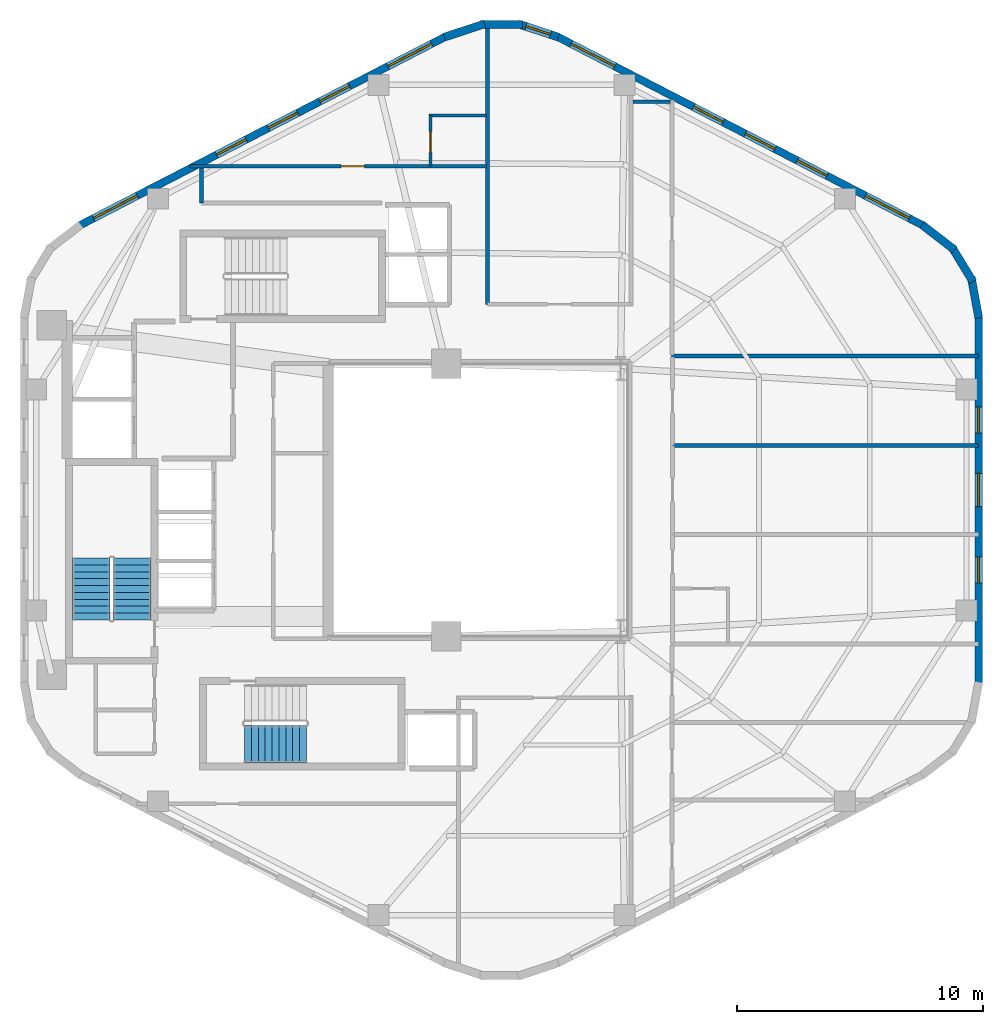
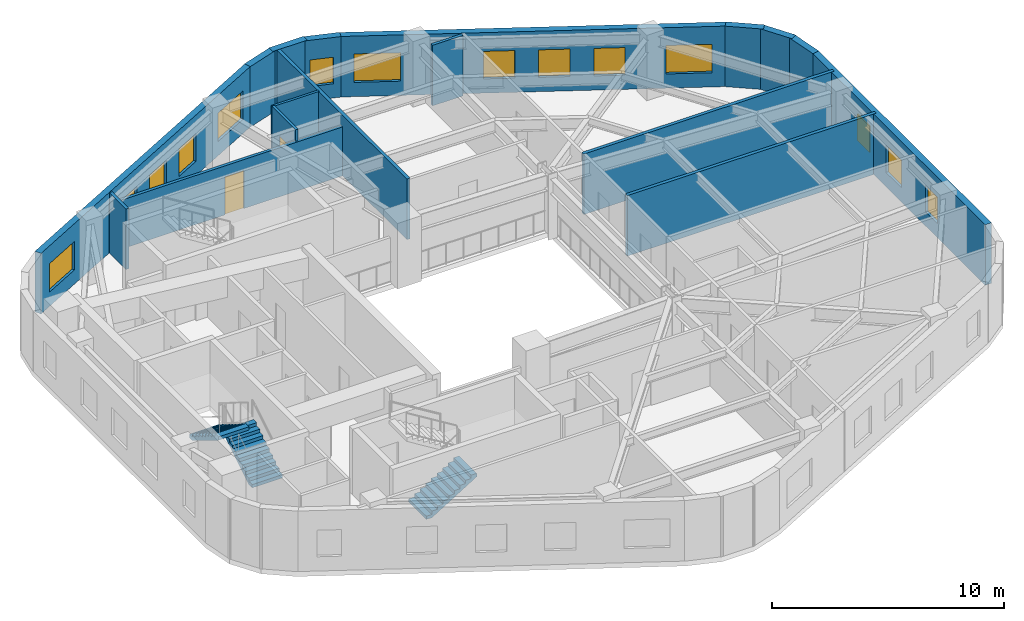
# One storey, part 5 of 7: 17 walls, 14 windows, 3 stair flights, 2 doors, 16 openings, 2 elements without a shape of their own.
"""IFC4 building model written with IfcOpenShell, lengths in metres."""

from ifc_helpers import new_model, si_unit, direction, frame, frame_2d, origin, place, context, subcontext, project, spatial, polyline, rectangle, outline, extrude, material, layer, layer_set, type_object, element, fill, aggregate, save


model = new_model("IFC4")

# Units and contexts
model_context = context("Model", 3, precision=1e-05, world=origin(), true_north=direction((0.0, 1.0)))
body_context = subcontext(model_context, "Body", "Model", "MODEL_VIEW")
ifc_project = project(units=[si_unit("LENGTHUNIT", "METRE"), si_unit("AREAUNIT", "SQUARE_METRE"), si_unit("VOLUMEUNIT", "CUBIC_METRE"), si_unit("PLANEANGLEUNIT", "RADIAN"), si_unit("MASSUNIT", "GRAM", prefix="KILO"), si_unit("THERMODYNAMICTEMPERATUREUNIT", "KELVIN"), si_unit("POWERUNIT", "WATT")], contexts=[model_context])

# Site, building, storey
site_placement = place(None, origin())
site = spatial("IfcSite", under=ifc_project, at=site_placement, CompositionType="ELEMENT")
building_placement = place(site_placement, origin())
building = spatial("IfcBuilding", under=site, at=building_placement, Name="Skarre Station Tower", CompositionType="ELEMENT")
storey_placement = place(building_placement, frame((0.0, 0.0, 196.449951171875)))
storey = spatial("IfcBuildingStorey", under=building, at=storey_placement, Name="L53", CompositionType="ELEMENT", Elevation=196.449951171875)

# Wall, opening, door
ifc_material_1 = material(Name="Acoustic Steel-Stud Gypsum Partition", Category="steel")
ifc_layer_1 = layer(ifc_material_1, 0.14990234375, Name="Acoustic Steel-Stud Gypsum Partition")
ifc_layer_set_1 = layer_set([ifc_layer_1], Name="Acoustic Steel-Stud Gypsum Partition")
wall_type_1 = type_object("IfcWallType", Name="Fire-Rated Corridor Acoustic Partition 150", PredefinedType="PARTITIONING", material=ifc_layer_set_1)
wall_1_placement = place(storey_placement, frame((34.0, 37.580078125, 0.0), z_axis=(0.0, 0.0, 1.0), x_axis=(-1.0, 0.0, 0.0)))
wall_1 = element("IfcWall", 1, at=wall_1_placement, inside=storey, type_object=wall_type_1, Name="L53 Interior Partition WL-PT-L53-NWW1-CW", PredefinedType="PARTITIONING", context=body_context, shape_type="SweptSolid", body=[
    extrude(rectangle(XDim=12.074951171875, YDim=0.14990234375, at=frame_2d((6.03759765625, 0.0))), origin(), (0.0, 0.0, 1.0), 2.58203125),
])
opening_1_placement = place(wall_1_placement, frame((4.9599609375, 0.0, 0.0)))
opening_1 = element("IfcOpeningElement", 2, at=opening_1_placement, cuts=wall_1, Name="Opening DR-FD60", PredefinedType="OPENING", context=body_context, shape_type="SweptSolid", body=[
    extrude(rectangle(XDim=0.9599609375, YDim=2.0, at=frame_2d((0.47998046875, 1.0))), frame((0.0, 0.0849609375, 0.0), z_axis=(0.0, -1.0, 0.0), x_axis=(1.0, 0.0, 0.0)), (0.0, 0.0, 1.0), 0.169921875),
])
ifc_material_2 = material(Name="Nordic White-Oak Veneer Solid-Core Fire Leaf", Category="wood")
door_type_1 = type_object("IfcDoorType", Name="Corridor Suite Entry Fire Door FD60 960x2150", OperationType="SINGLE_SWING_LEFT", PredefinedType="DOOR", material=ifc_material_2)
door_1_placement = place(opening_1_placement, origin())
door_1 = element("IfcDoor", 3, at=door_1_placement, inside=storey, type_object=door_type_1, Name="L53 NWW1 Entry Door", OperationType="SINGLE_SWING_LEFT", OverallHeight=2.0, OverallWidth=0.9599609375, PredefinedType="DOOR", context=body_context, shape_type="SweptSolid", body=[
    extrude(rectangle(XDim=0.9599609375, YDim=2.0, at=frame_2d((0.47998046875, 1.0))), frame((0.0, 0.02490234375, 0.0), z_axis=(0.0, -1.0, 0.0), x_axis=(1.0, 0.0, 0.0)), (0.0, 0.0, 1.0), 0.050048828125),
])
fill(opening_1, door_1)

# Walls
wall_2_placement = place(storey_placement, frame((22.39990234375, 36.080078125, 0.0), z_axis=(0.0, 0.0, 1.0), x_axis=(0.0, 1.0, 0.0)))
element("IfcWall", 4, at=wall_2_placement, inside=storey, type_object=wall_type_1, Name="L53 Interior Partition WL-PT-L53-CSEAL-2", PredefinedType="PARTITIONING", context=body_context, shape_type="SweptSolid", body=[
    extrude(rectangle(XDim=1.429931640625, YDim=0.14990234375, at=frame_2d((0.71484375, 0.0))), origin(), (0.0, 0.0, 1.0), 3.18994140625),
])
wall_3_placement = place(storey_placement, frame((39.9580078125, 40.199951171875, 0.0), z_axis=(0.0, 0.0, 1.0), x_axis=(1.0, 0.0, 0.0)))
element("IfcWall", 5, at=wall_3_placement, inside=storey, type_object=wall_type_1, Name="L53 Interior Partition WL-PT-L53-CSEAL-3", PredefinedType="PARTITIONING", context=body_context, shape_type="SweptSolid", body=[
    extrude(rectangle(XDim=1.511962890625, YDim=0.14990234375, at=frame_2d((0.755859375, 0.0))), origin(), (0.0, 0.0, 1.0), 3.18994140625),
])
ifc_material_3 = material(Name="Insulated Timber-Stud Gypsum Partition", Category="wood")
ifc_layer_2 = layer(ifc_material_3, 0.1201171875, Name="Insulated Timber-Stud Gypsum Partition")
ifc_layer_set_2 = layer_set([ifc_layer_2], Name="Insulated Timber-Stud Gypsum Partition")
wall_type_2 = type_object("IfcWallType", Name="Internal Suite Acoustic Partition 120", PredefinedType="PARTITIONING", material=ifc_layer_set_2)
wall_4_placement = place(storey_placement, frame((34.0, 39.639892578125, 0.0), z_axis=(0.0, 0.0, 1.0), x_axis=(-1.0, 0.0, 0.0)))
element("IfcWall", 6, at=wall_4_placement, inside=storey, type_object=wall_type_2, Name="L53 Interior Partition WL-PT-L53-NWW1-EW3", PredefinedType="PARTITIONING", context=body_context, shape_type="SweptSolid", body=[
    extrude(rectangle(XDim=2.340087890625, YDim=0.1201171875, at=frame_2d((1.169921875, 0.0))), origin(), (0.0, 0.0, 1.0), 3.18994140625),
])

# Wall, opening, door
wall_5_placement = place(storey_placement, frame((31.719970703125, 39.639892578125, 0.0), z_axis=(0.0, 0.0, 1.0), x_axis=(0.0, -1.0, 0.0)))
wall_5 = element("IfcWall", 7, at=wall_5_placement, inside=storey, type_object=wall_type_2, Name="L53 Interior Partition WL-PT-L53-NWW1-EW4", PredefinedType="PARTITIONING", context=body_context, shape_type="SweptSolid", body=[
    extrude(rectangle(XDim=2.059814453125, YDim=0.1201171875, at=frame_2d((1.02978515625, 0.0))), origin(), (0.0, 0.0, 1.0), 3.18994140625),
])
opening_2_placement = place(wall_5_placement, frame((0.64990234375, 0.0, 0.0)))
opening_2 = element("IfcOpeningElement", 8, at=opening_2_placement, cuts=wall_5, Name="Opening DR-INT86", PredefinedType="OPENING", context=body_context, shape_type="SweptSolid", body=[
    extrude(rectangle(XDim=0.860107421875, YDim=2.0, at=frame_2d((0.43017578125, 1.0))), frame((0.0, 0.070068359375, 0.0), z_axis=(0.0, -1.0, 0.0), x_axis=(1.0, 0.0, 0.0)), (0.0, 0.0, 1.0), 0.14013671875),
])
ifc_material_4 = material(Name="Nordic Birch Acoustic Solid-Core Timber Leaf", Category="wood")
door_type_2 = type_object("IfcDoorType", Name="Internal En-Suite & Bedroom Door 860x2100", OperationType="SINGLE_SWING_LEFT", PredefinedType="DOOR", material=ifc_material_4)
door_2_placement = place(opening_2_placement, origin())
door_2 = element("IfcDoor", 9, at=door_2_placement, inside=storey, type_object=door_type_2, Name="L53 NWW1 En-suite Door", OperationType="SINGLE_SWING_RIGHT", OverallHeight=2.0, OverallWidth=0.860107421875, PredefinedType="DOOR", context=body_context, shape_type="SweptSolid", body=[
    extrude(rectangle(XDim=0.860107421875, YDim=2.0, at=frame_2d((0.43017578125, 1.0))), frame((0.0, 0.02490234375, 0.0), z_axis=(0.0, -1.0, 0.0), x_axis=(1.0, 0.0, 0.0)), (0.0, 0.0, 1.0), 0.050048828125),
])
fill(opening_2, door_2)

# Walls
ifc_material_5 = material(Name="Precast concrete C45/55", Category="concrete")
ifc_layer_3 = layer(ifc_material_5, 0.330078125, Name="Precast concrete C45/55")
ifc_layer_set_3 = layer_set([ifc_layer_3], Name="Precast concrete C45/55")
wall_type_3 = type_object("IfcWallType", Name="Nordic Rounded Corner Precast Wall 330", PredefinedType="STANDARD", material=ifc_layer_set_3)
wall_6_placement = place(storey_placement, frame((51.7109375, 35.199951171875, 0.0), z_axis=(0.0, 0.0, 1.0), x_axis=(0.791464279355, -0.611215423976, 0.0)))
element("IfcWall", 10, at=wall_6_placement, inside=storey, type_object=wall_type_3, Name="L53 Rounded Corner Precast Wall F0-1", PredefinedType="STANDARD", context=body_context, shape_type="SweptSolid", body=[
    extrude(rectangle(XDim=1.6767578125, YDim=0.330078125, at=frame_2d((0.83837890625, 0.0))), origin(), (0.0, 0.0, 1.0), 3.18994140625),
])
wall_7_placement = place(storey_placement, frame((52.912109375, 34.31494140625, 0.0), z_axis=(0.0, 0.0, 1.0), x_axis=(0.520219286058, -0.85403272444, 0.0)))
element("IfcWall", 11, at=wall_7_placement, inside=storey, type_object=wall_type_3, Name="L53 Rounded Corner Precast Wall F0-2", PredefinedType="STANDARD", context=body_context, shape_type="SweptSolid", body=[
    extrude(rectangle(XDim=1.677734375, YDim=0.330078125, at=frame_2d((0.8388671875, 0.0))), origin(), (0.0, 0.0, 1.0), 3.18994140625),
])
wall_8_placement = place(storey_placement, frame((53.718017578125, 33.056884765625, 0.0), z_axis=(0.0, 0.0, 1.0), x_axis=(0.180717642671, -0.983535019014, 0.0)))
element("IfcWall", 12, at=wall_8_placement, inside=storey, type_object=wall_type_3, Name="L53 Rounded Corner Precast Wall F0-3", PredefinedType="STANDARD", context=body_context, shape_type="SweptSolid", body=[
    extrude(rectangle(XDim=1.676513671875, YDim=0.330078125, at=frame_2d((0.83837890625, 0.0))), origin(), (0.0, 0.0, 1.0), 3.18994140625),
])
wall_9_placement = place(storey_placement, frame((32.281005859375, 42.83203125, 0.0), z_axis=(0.0, 0.0, 1.0), x_axis=(0.949937416267, 0.312440242569, 0.0)))
element("IfcWall", 13, at=wall_9_placement, inside=storey, type_object=wall_type_3, Name="L53 Rounded Corner Precast Wall F1-1", PredefinedType="STANDARD", context=body_context, shape_type="SweptSolid", body=[
    extrude(rectangle(XDim=1.72216796875, YDim=0.330078125, at=frame_2d((0.861083984375, 0.0))), origin(), (0.0, 0.0, 1.0), 3.18994140625),
])
wall_10_placement = place(storey_placement, frame((33.739013671875, 43.341064453125, 0.0), z_axis=(0.0, 0.0, 1.0), x_axis=(1.0, 0.0, 0.0)))
element("IfcWall", 14, at=wall_10_placement, inside=storey, type_object=wall_type_3, Name="L53 Rounded Corner Precast Wall F1-2", PredefinedType="STANDARD", context=body_context, shape_type="SweptSolid", body=[
    extrude(rectangle(XDim=1.721923828125, YDim=0.330078125, at=frame_2d((0.86083984375, 0.0))), origin(), (0.0, 0.0, 1.0), 3.18994140625),
])

# Wall, opening, window
wall_11_placement = place(storey_placement, frame((35.282958984375, 43.3701171875, 0.0), z_axis=(0.0, 0.0, 1.0), x_axis=(0.949937416267, -0.312440242569, 0.0)))
wall_11 = element("IfcWall", 15, at=wall_11_placement, inside=storey, type_object=wall_type_3, Name="L53 Rounded Corner Precast Wall F1-3", PredefinedType="STANDARD", context=body_context, shape_type="SweptSolid", body=[
    extrude(rectangle(XDim=1.72216796875, YDim=0.330078125, at=frame_2d((0.861083984375, 0.0))), origin(), (0.0, 0.0, 1.0), 3.18994140625),
])
opening_3_placement = place(wall_11_placement, frame((0.3359375, 0.0, 0.75)))
opening_3 = element("IfcOpeningElement", 16, at=opening_3_placement, cuts=wall_11, Name="Opening WN-SLT", PredefinedType="OPENING", context=body_context, shape_type="SweptSolid", body=[
    extrude(rectangle(XDim=1.050048828125, YDim=1.39990234375, at=frame_2d((0.52490234375, 0.699951171875))), frame((0.0, 0.175048828125, 0.0), z_axis=(0.0, -1.0, 0.0), x_axis=(1.0, 0.0, 0.0)), (0.0, 0.0, 1.0), 0.35009765625),
])
ifc_material_6 = material(Name="Low-Iron Triple Glazing with Bronze Anodized Frame", Category="glass")
window_type_1 = type_object("IfcWindowType", Name="Nordic Corner Slot Window 1050x1400", PartitioningType="SINGLE_PANEL", PredefinedType="WINDOW", material=ifc_material_6)
window_1_placement = place(opening_3_placement, origin())
window_1 = element("IfcWindow", 17, at=window_1_placement, inside=storey, type_object=window_type_1, Name="L53 Apex Corner Slot Window F1-3", OverallHeight=1.39990234375, OverallWidth=1.050048828125, PartitioningType="SINGLE_PANEL", PredefinedType="WINDOW", context=body_context, shape_type="SweptSolid", body=[
    extrude(rectangle(XDim=1.050048828125, YDim=1.39990234375, at=frame_2d((0.52490234375, 0.699951171875))), frame((0.0, 0.030029296875, 0.0), z_axis=(0.0, -1.0, 0.0), x_axis=(1.0, 0.0, 0.0)), (0.0, 0.0, 1.0), 0.06005859375),
])
fill(opening_3, window_1)

# Wall, openings, windows
ifc_layer_4 = layer(ifc_material_5, 0.31005859375, Name="Precast concrete C45/55")
ifc_layer_set_4 = layer_set([ifc_layer_4], Name="Precast concrete C45/55")
wall_type_4 = type_object("IfcWallType", Name="Nordic Upper-Zone Precast Facet Wall 310", PredefinedType="STANDARD", material=ifc_layer_set_4)
wall_12_placement = place(storey_placement, frame((36.837890625, 42.87109375, 0.0), z_axis=(0.0, 0.0, 1.0), x_axis=(0.888626188278, -0.458632202867, 0.0)))
wall_12 = element("IfcWall", 18, at=wall_12_placement, inside=storey, type_object=wall_type_4, Name="L53 Facet 0 Nordic Precast Masonry Wall", PredefinedType="STANDARD", context=body_context, shape_type="SweptSolid", body=[
    extrude(rectangle(XDim=16.828369140625, YDim=0.31005859375, at=frame_2d((8.4140625, 0.0))), origin(), (0.0, 0.0, 1.0), 3.18994140625),
])
opening_4_placement = place(wall_12_placement, frame((0.675048828125, 0.0, 0.75)))
opening_4 = element("IfcOpeningElement", 19, at=opening_4_placement, cuts=wall_12, Name="Opening WN-Z3A", PredefinedType="OPENING", context=body_context, shape_type="SweptSolid", body=[
    extrude(rectangle(XDim=2.0, YDim=1.5, at=frame_2d((1.0, 0.75))), frame((0.0, 0.1650390625, 0.0), z_axis=(0.0, -1.0, 0.0), x_axis=(1.0, 0.0, 0.0)), (0.0, 0.0, 1.0), 0.330078125),
])
opening_5_placement = place(wall_12_placement, frame((6.27294921875, 0.0, 0.75)))
opening_5 = element("IfcOpeningElement", 20, at=opening_5_placement, cuts=wall_12, Name="Opening WN-Z3B", PredefinedType="OPENING", context=body_context, shape_type="SweptSolid", body=[
    extrude(rectangle(XDim=1.35009765625, YDim=1.449951171875, at=frame_2d((0.675048828125, 0.72509765625))), frame((0.0, 0.1650390625, 0.0), z_axis=(0.0, -1.0, 0.0), x_axis=(1.0, 0.0, 0.0)), (0.0, 0.0, 1.0), 0.330078125),
])
opening_6_placement = place(wall_12_placement, frame((8.653076171875, 0.0, 0.75)))
opening_6 = element("IfcOpeningElement", 21, at=opening_6_placement, cuts=wall_12, Name="Opening WN-Z3B", PredefinedType="OPENING", context=body_context, shape_type="SweptSolid", body=[
    extrude(rectangle(XDim=1.35009765625, YDim=1.449951171875, at=frame_2d((0.675048828125, 0.72509765625))), frame((0.0, 0.1650390625, 0.0), z_axis=(0.0, -1.0, 0.0), x_axis=(1.0, 0.0, 0.0)), (0.0, 0.0, 1.0), 0.330078125),
])
opening_7_placement = place(wall_12_placement, frame((11.031982421875, 0.0, 0.75)))
opening_7 = element("IfcOpeningElement", 22, at=opening_7_placement, cuts=wall_12, Name="Opening WN-Z3B", PredefinedType="OPENING", context=body_context, shape_type="SweptSolid", body=[
    extrude(rectangle(XDim=1.35009765625, YDim=1.449951171875, at=frame_2d((0.675048828125, 0.72509765625))), frame((0.0, 0.1650390625, 0.0), z_axis=(0.0, -1.0, 0.0), x_axis=(1.0, 0.0, 0.0)), (0.0, 0.0, 1.0), 0.330078125),
])
opening_8_placement = place(wall_12_placement, frame((14.153076171875, 0.0, 0.75)))
opening_8 = element("IfcOpeningElement", 23, at=opening_8_placement, cuts=wall_12, Name="Opening WN-Z3A", PredefinedType="OPENING", context=body_context, shape_type="SweptSolid", body=[
    extrude(rectangle(XDim=2.0, YDim=1.5, at=frame_2d((1.0, 0.75))), frame((0.0, 0.1650390625, 0.0), z_axis=(0.0, -1.0, 0.0), x_axis=(1.0, 0.0, 0.0)), (0.0, 0.0, 1.0), 0.330078125),
])
window_type_2 = type_object("IfcWindowType", Name="Nordic Hospitality Narrow Window 1350x1450", PartitioningType="SINGLE_PANEL", PredefinedType="WINDOW", material=ifc_material_6)
window_2_placement = place(opening_5_placement, origin())
window_2 = element("IfcWindow", 24, at=window_2_placement, inside=storey, type_object=window_type_2, Name="L53 Facade Window WL-FAC-L53-F0-2", OverallHeight=1.449951171875, OverallWidth=1.35009765625, PartitioningType="SINGLE_PANEL", PredefinedType="WINDOW", context=body_context, shape_type="SweptSolid", body=[
    extrude(rectangle(XDim=1.35009765625, YDim=1.449951171875, at=frame_2d((0.675048828125, 0.72509765625))), frame((0.0, 0.030029296875, 0.0), z_axis=(0.0, -1.0, 0.0), x_axis=(1.0, 0.0, 0.0)), (0.0, 0.0, 1.0), 0.06005859375),
])
fill(opening_5, window_2)
window_3_placement = place(opening_6_placement, origin())
window_3 = element("IfcWindow", 25, at=window_3_placement, inside=storey, type_object=window_type_2, Name="L53 Facade Window WL-FAC-L53-F0-3", OverallHeight=1.449951171875, OverallWidth=1.35009765625, PartitioningType="SINGLE_PANEL", PredefinedType="WINDOW", context=body_context, shape_type="SweptSolid", body=[
    extrude(rectangle(XDim=1.35009765625, YDim=1.449951171875, at=frame_2d((0.675048828125, 0.72509765625))), frame((0.0, 0.030029296875, 0.0), z_axis=(0.0, -1.0, 0.0), x_axis=(1.0, 0.0, 0.0)), (0.0, 0.0, 1.0), 0.06005859375),
])
fill(opening_6, window_3)
window_4_placement = place(opening_7_placement, origin())
window_4 = element("IfcWindow", 26, at=window_4_placement, inside=storey, type_object=window_type_2, Name="L53 Facade Window WL-FAC-L53-F0-4", OverallHeight=1.449951171875, OverallWidth=1.35009765625, PartitioningType="SINGLE_PANEL", PredefinedType="WINDOW", context=body_context, shape_type="SweptSolid", body=[
    extrude(rectangle(XDim=1.35009765625, YDim=1.449951171875, at=frame_2d((0.675048828125, 0.72509765625))), frame((0.0, 0.030029296875, 0.0), z_axis=(0.0, -1.0, 0.0), x_axis=(1.0, 0.0, 0.0)), (0.0, 0.0, 1.0), 0.06005859375),
])
fill(opening_7, window_4)
window_type_3 = type_object("IfcWindowType", Name="Nordic Hospitality Window 2000x1500", PartitioningType="SINGLE_PANEL", PredefinedType="WINDOW", material=ifc_material_6)
window_5_placement = place(opening_4_placement, origin())
window_5 = element("IfcWindow", 27, at=window_5_placement, inside=storey, type_object=window_type_3, Name="L53 Facade Window WL-FAC-L53-F0-1", OverallHeight=1.5, OverallWidth=2.0, PartitioningType="SINGLE_PANEL", PredefinedType="WINDOW", context=body_context, shape_type="SweptSolid", body=[
    extrude(rectangle(XDim=2.0, YDim=1.5, at=frame_2d((1.0, 0.75))), frame((0.0, 0.030029296875, 0.0), z_axis=(0.0, -1.0, 0.0), x_axis=(1.0, 0.0, 0.0)), (0.0, 0.0, 1.0), 0.06005859375),
])
fill(opening_4, window_5)
window_6_placement = place(opening_8_placement, origin())
window_6 = element("IfcWindow", 28, at=window_6_placement, inside=storey, type_object=window_type_3, Name="L53 Facade Window WL-FAC-L53-F0-5", OverallHeight=1.5, OverallWidth=2.0, PartitioningType="SINGLE_PANEL", PredefinedType="WINDOW", context=body_context, shape_type="SweptSolid", body=[
    extrude(rectangle(XDim=2.0, YDim=1.5, at=frame_2d((1.0, 0.75))), frame((0.0, 0.030029296875, 0.0), z_axis=(0.0, -1.0, 0.0), x_axis=(1.0, 0.0, 0.0)), (0.0, 0.0, 1.0), 0.06005859375),
])
fill(opening_8, window_6)

wall_13_placement = place(storey_placement, frame((17.407958984375, 35.153076171875, 0.0), z_axis=(0.0, 0.0, 1.0), x_axis=(0.888626188278, 0.458632202867, 0.0)))
wall_13 = element("IfcWall", 29, at=wall_13_placement, inside=storey, type_object=wall_type_4, Name="L53 Facet 1 Nordic Precast Masonry Wall", PredefinedType="STANDARD", context=body_context, shape_type="SweptSolid", body=[
    extrude(rectangle(XDim=16.828369140625, YDim=0.31005859375, at=frame_2d((8.4140625, 0.0))), origin(), (0.0, 0.0, 1.0), 3.18994140625),
])
opening_9_placement = place(wall_13_placement, frame((0.675048828125, 0.0, 0.75)))
opening_9 = element("IfcOpeningElement", 30, at=opening_9_placement, cuts=wall_13, Name="Opening WN-Z3A", PredefinedType="OPENING", context=body_context, shape_type="SweptSolid", body=[
    extrude(rectangle(XDim=2.0, YDim=1.5, at=frame_2d((1.0, 0.75))), frame((0.0, 0.1650390625, 0.0), z_axis=(0.0, -1.0, 0.0), x_axis=(1.0, 0.0, 0.0)), (0.0, 0.0, 1.0), 0.330078125),
])
opening_10_placement = place(wall_13_placement, frame((6.31201171875, 0.0, 0.75)))
opening_10 = element("IfcOpeningElement", 31, at=opening_10_placement, cuts=wall_13, Name="Opening WN-Z3B", PredefinedType="OPENING", context=body_context, shape_type="SweptSolid", body=[
    extrude(rectangle(XDim=1.35009765625, YDim=1.449951171875, at=frame_2d((0.675048828125, 0.72509765625))), frame((0.0, 0.1650390625, 0.0), z_axis=(0.0, -1.0, 0.0), x_axis=(1.0, 0.0, 0.0)), (0.0, 0.0, 1.0), 0.330078125),
])
opening_11_placement = place(wall_13_placement, frame((8.676025390625, 0.0, 0.75)))
opening_11 = element("IfcOpeningElement", 32, at=opening_11_placement, cuts=wall_13, Name="Opening WN-Z3B", PredefinedType="OPENING", context=body_context, shape_type="SweptSolid", body=[
    extrude(rectangle(XDim=1.35009765625, YDim=1.449951171875, at=frame_2d((0.675048828125, 0.72509765625))), frame((0.0, 0.1650390625, 0.0), z_axis=(0.0, -1.0, 0.0), x_axis=(1.0, 0.0, 0.0)), (0.0, 0.0, 1.0), 0.330078125),
])
opening_12_placement = place(wall_13_placement, frame((11.041015625, 0.0, 0.75)))
opening_12 = element("IfcOpeningElement", 33, at=opening_12_placement, cuts=wall_13, Name="Opening WN-Z3B", PredefinedType="OPENING", context=body_context, shape_type="SweptSolid", body=[
    extrude(rectangle(XDim=1.35009765625, YDim=1.449951171875, at=frame_2d((0.675048828125, 0.72509765625))), frame((0.0, 0.1650390625, 0.0), z_axis=(0.0, -1.0, 0.0), x_axis=(1.0, 0.0, 0.0)), (0.0, 0.0, 1.0), 0.330078125),
])
opening_13_placement = place(wall_13_placement, frame((14.153076171875, 0.0, 0.75)))
opening_13 = element("IfcOpeningElement", 34, at=opening_13_placement, cuts=wall_13, Name="Opening WN-Z3A", PredefinedType="OPENING", context=body_context, shape_type="SweptSolid", body=[
    extrude(rectangle(XDim=2.0, YDim=1.5, at=frame_2d((1.0, 0.75))), frame((0.0, 0.1650390625, 0.0), z_axis=(0.0, -1.0, 0.0), x_axis=(1.0, 0.0, 0.0)), (0.0, 0.0, 1.0), 0.330078125),
])
window_7_placement = place(opening_10_placement, origin())
window_7 = element("IfcWindow", 35, at=window_7_placement, inside=storey, type_object=window_type_2, Name="L53 Facade Window WL-FAC-L53-F1-2", OverallHeight=1.449951171875, OverallWidth=1.35009765625, PartitioningType="SINGLE_PANEL", PredefinedType="WINDOW", context=body_context, shape_type="SweptSolid", body=[
    extrude(rectangle(XDim=1.35009765625, YDim=1.449951171875, at=frame_2d((0.675048828125, 0.72509765625))), frame((0.0, 0.030029296875, 0.0), z_axis=(0.0, -1.0, 0.0), x_axis=(1.0, 0.0, 0.0)), (0.0, 0.0, 1.0), 0.06005859375),
])
fill(opening_10, window_7)
window_8_placement = place(opening_11_placement, origin())
window_8 = element("IfcWindow", 36, at=window_8_placement, inside=storey, type_object=window_type_2, Name="L53 Facade Window WL-FAC-L53-F1-3", OverallHeight=1.449951171875, OverallWidth=1.35009765625, PartitioningType="SINGLE_PANEL", PredefinedType="WINDOW", context=body_context, shape_type="SweptSolid", body=[
    extrude(rectangle(XDim=1.35009765625, YDim=1.449951171875, at=frame_2d((0.675048828125, 0.72509765625))), frame((0.0, 0.030029296875, 0.0), z_axis=(0.0, -1.0, 0.0), x_axis=(1.0, 0.0, 0.0)), (0.0, 0.0, 1.0), 0.06005859375),
])
fill(opening_11, window_8)
window_9_placement = place(opening_12_placement, origin())
window_9 = element("IfcWindow", 37, at=window_9_placement, inside=storey, type_object=window_type_2, Name="L53 Facade Window WL-FAC-L53-F1-4", OverallHeight=1.449951171875, OverallWidth=1.35009765625, PartitioningType="SINGLE_PANEL", PredefinedType="WINDOW", context=body_context, shape_type="SweptSolid", body=[
    extrude(rectangle(XDim=1.35009765625, YDim=1.449951171875, at=frame_2d((0.675048828125, 0.72509765625))), frame((0.0, 0.030029296875, 0.0), z_axis=(0.0, -1.0, 0.0), x_axis=(1.0, 0.0, 0.0)), (0.0, 0.0, 1.0), 0.06005859375),
])
fill(opening_12, window_9)
window_10_placement = place(opening_9_placement, origin())
window_10 = element("IfcWindow", 38, at=window_10_placement, inside=storey, type_object=window_type_3, Name="L53 Facade Window WL-FAC-L53-F1-1", OverallHeight=1.5, OverallWidth=2.0, PartitioningType="SINGLE_PANEL", PredefinedType="WINDOW", context=body_context, shape_type="SweptSolid", body=[
    extrude(rectangle(XDim=2.0, YDim=1.5, at=frame_2d((1.0, 0.75))), frame((0.0, 0.030029296875, 0.0), z_axis=(0.0, -1.0, 0.0), x_axis=(1.0, 0.0, 0.0)), (0.0, 0.0, 1.0), 0.06005859375),
])
fill(opening_9, window_10)
window_11_placement = place(opening_13_placement, origin())
window_11 = element("IfcWindow", 39, at=window_11_placement, inside=storey, type_object=window_type_3, Name="L53 Facade Window WL-FAC-L53-F1-5", OverallHeight=1.5, OverallWidth=2.0, PartitioningType="SINGLE_PANEL", PredefinedType="WINDOW", context=body_context, shape_type="SweptSolid", body=[
    extrude(rectangle(XDim=2.0, YDim=1.5, at=frame_2d((1.0, 0.75))), frame((0.0, 0.030029296875, 0.0), z_axis=(0.0, -1.0, 0.0), x_axis=(1.0, 0.0, 0.0)), (0.0, 0.0, 1.0), 0.06005859375),
])
fill(opening_13, window_11)

wall_14_placement = place(storey_placement, frame((54.01708984375, 31.501953125, 0.0), z_axis=(0.0, 0.0, 1.0), x_axis=(0.0, -1.0, 0.0)))
wall_14 = element("IfcWall", 40, at=wall_14_placement, inside=storey, type_object=wall_type_4, Name="L53 Facet 5 Nordic Precast Masonry Wall", PredefinedType="STANDARD", context=body_context, shape_type="SweptSolid", body=[
    extrude(rectangle(XDim=15.00390625, YDim=0.31005859375, at=frame_2d((7.501953125, 0.0))), origin(), (0.0, 0.0, 1.0), 3.18994140625),
])
opening_14_placement = place(wall_14_placement, frame((3.721923828125, 0.0, 0.75)))
opening_14 = element("IfcOpeningElement", 41, at=opening_14_placement, cuts=wall_14, Name="Opening WN-SLT", PredefinedType="OPENING", context=body_context, shape_type="SweptSolid", body=[
    extrude(rectangle(XDim=1.050048828125, YDim=1.39990234375, at=frame_2d((0.52490234375, 0.699951171875))), frame((0.0, 0.1650390625, 0.0), z_axis=(0.0, -1.0, 0.0), x_axis=(1.0, 0.0, 0.0)), (0.0, 0.0, 1.0), 0.330078125),
])
opening_15_placement = place(wall_14_placement, frame((6.4189453125, 0.0, 0.75)))
opening_15 = element("IfcOpeningElement", 42, at=opening_15_placement, cuts=wall_14, Name="Opening WN-Z3B", PredefinedType="OPENING", context=body_context, shape_type="SweptSolid", body=[
    extrude(rectangle(XDim=1.35009765625, YDim=1.449951171875, at=frame_2d((0.675048828125, 0.72509765625))), frame((0.0, 0.1650390625, 0.0), z_axis=(0.0, -1.0, 0.0), x_axis=(1.0, 0.0, 0.0)), (0.0, 0.0, 1.0), 0.330078125),
])
opening_16_placement = place(wall_14_placement, frame((9.824951171875, 0.0, 0.75)))
opening_16 = element("IfcOpeningElement", 43, at=opening_16_placement, cuts=wall_14, Name="Opening WN-SLT", PredefinedType="OPENING", context=body_context, shape_type="SweptSolid", body=[
    extrude(rectangle(XDim=1.050048828125, YDim=1.39990234375, at=frame_2d((0.52490234375, 0.699951171875))), frame((0.0, 0.1650390625, 0.0), z_axis=(0.0, -1.0, 0.0), x_axis=(1.0, 0.0, 0.0)), (0.0, 0.0, 1.0), 0.330078125),
])
window_12_placement = place(opening_14_placement, origin())
window_12 = element("IfcWindow", 44, at=window_12_placement, inside=storey, type_object=window_type_1, Name="L53 Facade Window WL-FAC-L53-F5-1", OverallHeight=1.39990234375, OverallWidth=1.050048828125, PartitioningType="SINGLE_PANEL", PredefinedType="WINDOW", context=body_context, shape_type="SweptSolid", body=[
    extrude(rectangle(XDim=1.050048828125, YDim=1.39990234375, at=frame_2d((0.52490234375, 0.699951171875))), frame((0.0, 0.030029296875, 0.0), z_axis=(0.0, -1.0, 0.0), x_axis=(1.0, 0.0, 0.0)), (0.0, 0.0, 1.0), 0.06005859375),
])
fill(opening_14, window_12)
window_13_placement = place(opening_16_placement, origin())
window_13 = element("IfcWindow", 45, at=window_13_placement, inside=storey, type_object=window_type_1, Name="L53 Facade Window WL-FAC-L53-F5-3", OverallHeight=1.39990234375, OverallWidth=1.050048828125, PartitioningType="SINGLE_PANEL", PredefinedType="WINDOW", context=body_context, shape_type="SweptSolid", body=[
    extrude(rectangle(XDim=1.050048828125, YDim=1.39990234375, at=frame_2d((0.52490234375, 0.699951171875))), frame((0.0, 0.030029296875, 0.0), z_axis=(0.0, -1.0, 0.0), x_axis=(1.0, 0.0, 0.0)), (0.0, 0.0, 1.0), 0.06005859375),
])
fill(opening_16, window_13)
window_14_placement = place(opening_15_placement, origin())
window_14 = element("IfcWindow", 46, at=window_14_placement, inside=storey, type_object=window_type_2, Name="L53 Facade Window WL-FAC-L53-F5-2", OverallHeight=1.449951171875, OverallWidth=1.35009765625, PartitioningType="SINGLE_PANEL", PredefinedType="WINDOW", context=body_context, shape_type="SweptSolid", body=[
    extrude(rectangle(XDim=1.35009765625, YDim=1.449951171875, at=frame_2d((0.675048828125, 0.72509765625))), frame((0.0, 0.030029296875, 0.0), z_axis=(0.0, -1.0, 0.0), x_axis=(1.0, 0.0, 0.0)), (0.0, 0.0, 1.0), 0.06005859375),
])
fill(opening_15, window_14)

# Walls
ifc_layer_5 = layer(ifc_material_1, 0.1650390625, Name="Acoustic Steel-Stud Gypsum Partition")
ifc_layer_set_5 = layer_set([ifc_layer_5], Name="Acoustic Steel-Stud Gypsum Partition")
wall_type_5 = type_object("IfcWallType", Name="Suite Demising Acoustic Partition 165", PredefinedType="PARTITIONING", material=ifc_layer_set_5)
wall_15_placement = place(storey_placement, frame((34.0400390625, 31.9599609375, 0.0), z_axis=(0.0, 0.0, 1.0), x_axis=(0.0, 1.0, 0.0)))
element("IfcWall", 47, at=wall_15_placement, inside=storey, type_object=wall_type_5, Name="L53 Interior Partition WL-PT-L53-NW-WBND", PredefinedType="PARTITIONING", context=body_context, shape_type="SweptSolid", body=[
    extrude(rectangle(XDim=11.3759765625, YDim=0.1650390625, at=frame_2d((5.68798828125, 0.0))), origin(), (0.0, 0.0, 1.0), 3.18994140625),
])
wall_16_placement = place(storey_placement, frame((41.52001953125, 29.860107421875, 0.0), z_axis=(0.0, 0.0, 1.0), x_axis=(1.0, 0.0, 0.0)))
element("IfcWall", 48, at=wall_16_placement, inside=storey, type_object=wall_type_5, Name="L53 Interior Partition WL-PT-L53-EWB-N", PredefinedType="PARTITIONING", context=body_context, shape_type="SweptSolid", body=[
    extrude(rectangle(XDim=12.48193359375, YDim=0.1650390625, at=frame_2d((6.240966796875, 0.0))), origin(), (0.0, 0.0, 1.0), 3.18994140625),
])
wall_17_placement = place(storey_placement, frame((41.590087890625, 26.2119140625, 0.0), z_axis=(0.0, 0.0, 1.0), x_axis=(1.0, 0.0, 0.0)))
element("IfcWall", 49, at=wall_17_placement, inside=storey, type_object=wall_type_5, Name="L53 Interior Partition WL-PT-L53-EW-P2", PredefinedType="PARTITIONING", context=body_context, shape_type="SweptSolid", body=[
    extrude(rectangle(XDim=12.411865234375, YDim=0.1650390625, at=frame_2d((6.2060546875, 0.0))), origin(), (0.0, 0.0, 1.0), 3.18994140625),
])

# Stair, stair flights
ifc_material_7 = material(Name="Concrete C40/50", Category="concrete")
stair_type_1 = type_object("IfcStairType", Name="Reinforced Concrete Exit Stair ST-1", PredefinedType="HALF_TURN_STAIR", material=ifc_material_7)
stair_1_placement = place(storey_placement, origin())
stair_1 = element("IfcStair", 50, at=stair_1_placement, inside=storey, type_object=stair_type_1, Name="L53 Core Exit Stair ST-1", PredefinedType="HALF_TURN_STAIR")
stair_flight_type_1 = type_object("IfcStairFlightType", Name="Reinforced Concrete Stair Flight ST-1", PredefinedType="STRAIGHT", material=ifc_material_7)
stair_flight_1_placement = place(storey_placement, frame((19.590087890625, 19.1201171875, 0.0), z_axis=(0.0, 0.0, 1.0), x_axis=(0.0, 1.0, 0.0)))
stair_flight_1 = element("IfcStairFlight", 51, at=stair_flight_1_placement, type_object=stair_flight_type_1, Name="ST-1 flight 1", NumberOfRisers=10, NumberOfTreads=9, PredefinedType="STRAIGHT", RiserHeight=0.1725, TreadLength=0.28, context=body_context, shape_type="SweptSolid", body=[
    extrude(outline(polyline([(0.0, 0.0), (0.0, 0.172607421875), (0.280029296875, 0.172607421875), (0.280029296875, 0.344970703125), (0.56005859375, 0.344970703125), (0.56005859375, 0.517578125), (0.840087890625, 0.517578125), (0.840087890625, 0.68994140625), (1.1201171875, 0.68994140625), (1.1201171875, 0.862548828125), (1.39990234375, 0.862548828125), (1.39990234375, 1.034912109375), (1.679931640625, 1.034912109375), (1.679931640625, 1.20751953125), (1.9599609375, 1.20751953125), (1.9599609375, 1.3798828125), (2.239990234375, 1.3798828125), (2.239990234375, 1.552490234375), (2.52001953125, 1.552490234375), (2.52001953125, 1.72509765625), (2.52001953125, 1.37646484375), (0.285888671875, 0.0), (0.0, 0.0)])), frame((0.0, 0.760009765625, 0.0), z_axis=(0.0, -1.0, 0.0), x_axis=(1.0, 0.0, 0.0)), (0.0, 0.0, 1.0), 1.52001953125),
])
stair_flight_2_placement = place(storey_placement, frame((17.909912109375, 21.639892578125, 1.72509765625), z_axis=(0.0, 0.0, 1.0), x_axis=(0.0, -1.0, 0.0)))
stair_flight_2 = element("IfcStairFlight", 52, at=stair_flight_2_placement, type_object=stair_flight_type_1, Name="ST-1 flight 2", NumberOfRisers=10, NumberOfTreads=9, PredefinedType="STRAIGHT", RiserHeight=0.1725, TreadLength=0.28, context=body_context, shape_type="SweptSolid", body=[
    extrude(outline(polyline([(0.0, 0.0), (0.0, 0.172607421875), (0.280029296875, 0.172607421875), (0.280029296875, 0.344970703125), (0.56005859375, 0.344970703125), (0.56005859375, 0.517578125), (0.840087890625, 0.517578125), (0.840087890625, 0.68994140625), (1.1201171875, 0.68994140625), (1.1201171875, 0.862548828125), (1.39990234375, 0.862548828125), (1.39990234375, 1.034912109375), (1.679931640625, 1.034912109375), (1.679931640625, 1.20751953125), (1.9599609375, 1.20751953125), (1.9599609375, 1.3798828125), (2.239990234375, 1.3798828125), (2.239990234375, 1.552490234375), (2.52001953125, 1.552490234375), (2.52001953125, 1.72509765625), (2.52001953125, 1.37646484375), (0.285888671875, 0.0), (0.0, 0.0)])), frame((0.0, 0.760009765625, 0.0), z_axis=(0.0, -1.0, 0.0), x_axis=(1.0, 0.0, 0.0)), (0.0, 0.0, 1.0), 1.52001953125),
])
aggregate(stair_1, [stair_flight_1, stair_flight_2])

# Stair, stair flight
stair_type_2 = type_object("IfcStairType", Name="Reinforced Concrete Exit Stair ST-2", PredefinedType="HALF_TURN_STAIR", material=ifc_material_7)
stair_2_placement = place(storey_placement, origin())
stair_2 = element("IfcStair", 53, at=stair_2_placement, inside=storey, type_object=stair_type_2, Name="L53 Core Exit Stair ST-2", PredefinedType="HALF_TURN_STAIR")
stair_flight_type_2 = type_object("IfcStairFlightType", Name="Reinforced Concrete Stair Flight ST-2", PredefinedType="STRAIGHT", material=ifc_material_7)
stair_flight_3_placement = place(storey_placement, frame((24.14990234375, 14.06005859375, 0.0), z_axis=(0.0, 0.0, 1.0), x_axis=(1.0, 0.0, 0.0)))
stair_flight_3 = element("IfcStairFlight", 54, at=stair_flight_3_placement, type_object=stair_flight_type_2, Name="ST-2 flight 1", NumberOfRisers=10, NumberOfTreads=9, PredefinedType="STRAIGHT", RiserHeight=0.1725, TreadLength=0.28, context=body_context, shape_type="SweptSolid", body=[
    extrude(outline(polyline([(0.0, 0.0), (0.0, 0.172607421875), (0.280029296875, 0.172607421875), (0.280029296875, 0.344970703125), (0.56005859375, 0.344970703125), (0.56005859375, 0.517578125), (0.840087890625, 0.517578125), (0.840087890625, 0.68994140625), (1.1201171875, 0.68994140625), (1.1201171875, 0.862548828125), (1.39990234375, 0.862548828125), (1.39990234375, 1.034912109375), (1.679931640625, 1.034912109375), (1.679931640625, 1.20751953125), (1.9599609375, 1.20751953125), (1.9599609375, 1.3798828125), (2.239990234375, 1.3798828125), (2.239990234375, 1.552490234375), (2.52001953125, 1.552490234375), (2.52001953125, 1.72509765625), (2.52001953125, 1.37646484375), (0.285888671875, 0.0), (0.0, 0.0)])), frame((0.0, 0.760009765625, 0.0), z_axis=(0.0, -1.0, 0.0), x_axis=(1.0, 0.0, 0.0)), (0.0, 0.0, 1.0), 1.52001953125),
])
aggregate(stair_2, [stair_flight_3])

save(model, "model.ifc")
